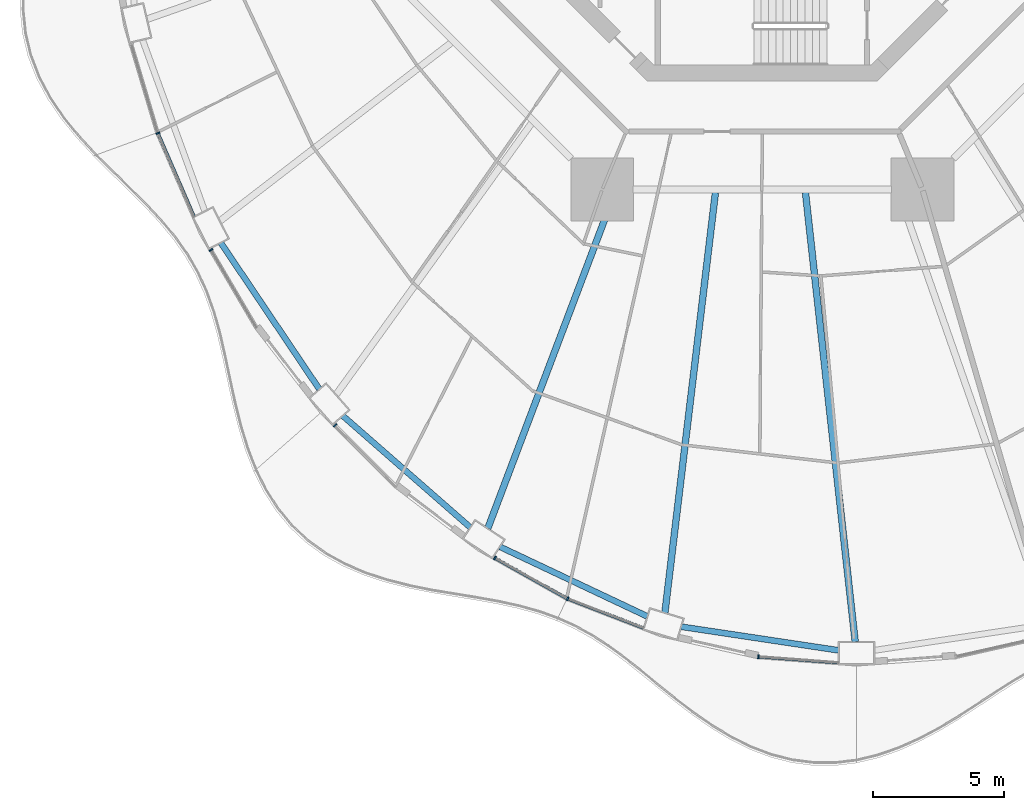
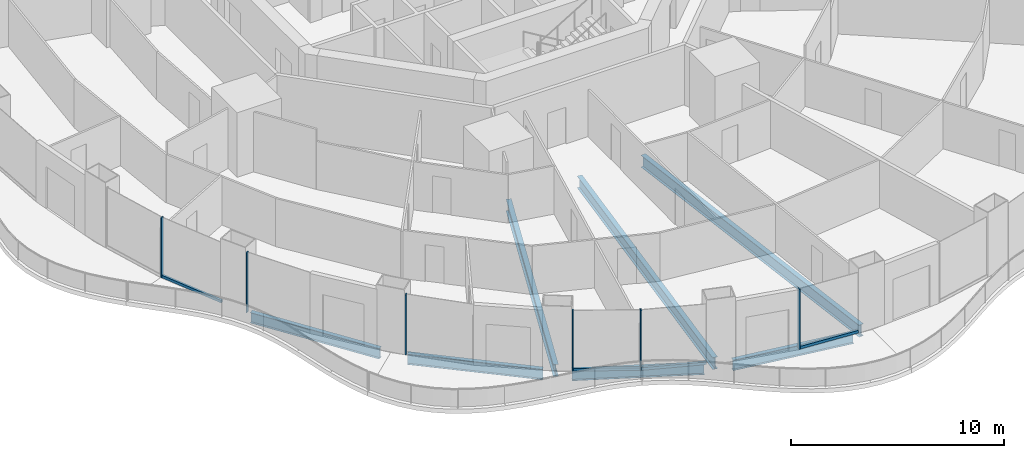
# One storey, part 2 of 22: 10 members, 7 beams, 6 elements without a shape of their own.
"""IFC4 building model written with IfcOpenShell, lengths in metres."""

from ifc_helpers import new_model, si_unit, direction, frame, origin, origin_2d, place, context, subcontext, project, spatial, rectangle, i_section, extrude, material, layer, layer_set, material_profile, profile_set, type_object, element, aggregate, save


model = new_model("IFC4")

# Units and contexts
model_context = context("Model", 3, precision=1e-05, world=origin(), true_north=direction((0.0, 1.0)))
body_context = subcontext(model_context, "Body", "Model", "MODEL_VIEW")
ifc_project = project(units=[si_unit("LENGTHUNIT", "METRE"), si_unit("AREAUNIT", "SQUARE_METRE"), si_unit("VOLUMEUNIT", "CUBIC_METRE"), si_unit("PLANEANGLEUNIT", "RADIAN"), si_unit("MASSUNIT", "GRAM", prefix="KILO")], contexts=[model_context])

# Site, building, storey
site_placement = place(None, origin())
site = spatial("IfcSite", under=ifc_project, at=site_placement, CompositionType="ELEMENT")
building_placement = place(site_placement, origin())
building = spatial("IfcBuilding", under=site, at=building_placement, Name="Nagisa Residences", CompositionType="ELEMENT")
storey_placement = place(building_placement, frame((0.0, 0.0, 45.5)))
storey = spatial("IfcBuildingStorey", under=building, at=storey_placement, Name="L10", CompositionType="ELEMENT", Elevation=45.5)

# Curtain wall, member
ifc_material_1 = material(Name="Concrete-coloured aluminium curtain wall system", Category="concrete")
ifc_layer = layer(ifc_material_1, 0.159912109375)
ifc_layer_set = layer_set([ifc_layer], Name="CW1 CURTAIN WALL")
curtain_wall_type = type_object("IfcCurtainWallType", Name="CW1 CURTAIN WALL", PredefinedType="NOTDEFINED", material=ifc_layer_set)
curtain_wall_1_placement = place(storey_placement, origin())
curtain_wall_1 = element("IfcCurtainWall", 1, at=curtain_wall_1_placement, inside=storey, type_object=curtain_wall_type, Name="cw:CW1:L10:27", PredefinedType="NOTDEFINED")
ifc_material_2 = material(Name="Concrete-coloured aluminium", Category="concrete")
ifc_material_profile_1 = material_profile(ifc_material_2, rectangle(XDim=0.159912109375, YDim=0.06005859375, at=origin_2d()), Name="CW1 MULLION 160x60")
ifc_profile_set_1 = profile_set([ifc_material_profile_1], Name="Concrete-coloured aluminium")
member_type_1 = type_object("IfcMemberType", Name="CW1 MULLION 160x60", PredefinedType="MULLION", material=ifc_profile_set_1)
member_1_placement = place(storey_placement, frame((-23.107177734375, -12.624267578125, 0.0), z_axis=(0.0, 0.0, 1.0), x_axis=(0.917543276295, 0.397635934147, 0.0)))
member_1 = element("IfcMember", 2, at=member_1_placement, type_object=member_type_1, Name="CW1 mullion", PredefinedType="MULLION", context=body_context, shape_type="SweptSolid", body=[
    extrude(rectangle(XDim=0.159912109375, YDim=0.06005859375, at=origin_2d()), origin(), (0.0, 0.0, 1.0), 3.43994140625),
])

curtain_wall_2_placement = place(storey_placement, origin())
curtain_wall_2 = element("IfcCurtainWall", 3, at=curtain_wall_2_placement, inside=storey, type_object=curtain_wall_type, Name="cw:CW1:L10:28", PredefinedType="NOTDEFINED")
member_2_placement = place(storey_placement, frame((-21.076171875, -17.089111328125, 0.0), z_axis=(0.0, 0.0, 1.0), x_axis=(0.862328898214, 0.506348567002, 0.0)))
member_2 = element("IfcMember", 4, at=member_2_placement, type_object=member_type_1, Name="CW1 mullion", PredefinedType="MULLION", context=body_context, shape_type="SweptSolid", body=[
    extrude(rectangle(XDim=0.159912109375, YDim=0.06005859375, at=origin_2d()), origin(), (0.0, 0.0, 1.0), 3.43994140625),
])
aggregate(curtain_wall_2, [member_2])

curtain_wall_3_placement = place(storey_placement, origin())
curtain_wall_3 = element("IfcCurtainWall", 5, at=curtain_wall_3_placement, inside=storey, type_object=curtain_wall_type, Name="cw:CW1:L10:30", PredefinedType="NOTDEFINED")
member_3_placement = place(storey_placement, frame((-16.332763671875, -23.79345703125, 0.0), z_axis=(0.0, 0.0, 1.0), x_axis=(0.706376885714, 0.707835924016, 0.0)))
member_3 = element("IfcMember", 6, at=member_3_placement, type_object=member_type_1, Name="CW1 mullion", PredefinedType="MULLION", context=body_context, shape_type="SweptSolid", body=[
    extrude(rectangle(XDim=0.159912109375, YDim=0.06005859375, at=origin_2d()), origin(), (0.0, 0.0, 1.0), 3.43994140625),
])
aggregate(curtain_wall_3, [member_3])

curtain_wall_4_placement = place(storey_placement, origin())
curtain_wall_4 = element("IfcCurtainWall", 7, at=curtain_wall_4_placement, inside=storey, type_object=curtain_wall_type, Name="cw:CW1:L10:32", PredefinedType="NOTDEFINED")
member_4_placement = place(storey_placement, frame((-10.22412109375, -28.8662109375, 0.0), z_axis=(0.0, 0.0, 1.0), x_axis=(0.489376918501, 0.872072377523, 0.0)))
member_4 = element("IfcMember", 8, at=member_4_placement, type_object=member_type_1, Name="CW1 mullion", PredefinedType="MULLION", context=body_context, shape_type="SweptSolid", body=[
    extrude(rectangle(XDim=0.159912109375, YDim=0.06005859375, at=origin_2d()), origin(), (0.0, 0.0, 1.0), 3.43994140625),
])

curtain_wall_5_placement = place(storey_placement, origin())
curtain_wall_5 = element("IfcCurtainWall", 9, at=curtain_wall_5_placement, inside=storey, type_object=curtain_wall_type, Name="cw:CW1:L10:33", PredefinedType="NOTDEFINED")
member_5_placement = place(storey_placement, frame((-7.44091796875, -30.42431640625, 0.0), z_axis=(0.0, 0.0, 1.0), x_axis=(0.360327770268, 0.932825759707, 0.0)))
member_5 = element("IfcMember", 10, at=member_5_placement, type_object=member_type_1, Name="CW1 mullion", PredefinedType="MULLION", context=body_context, shape_type="SweptSolid", body=[
    extrude(rectangle(XDim=0.159912109375, YDim=0.06005859375, at=origin_2d()), origin(), (0.0, 0.0, 1.0), 3.43994140625),
])

curtain_wall_6_placement = place(storey_placement, origin())
curtain_wall_6 = element("IfcCurtainWall", 11, at=curtain_wall_6_placement, inside=storey, type_object=curtain_wall_type, Name="cw:CW1:L10:35", PredefinedType="NOTDEFINED")
member_6_placement = place(storey_placement, frame((-0.1494140625, -32.64013671875, 0.0), z_axis=(0.0, 0.0, 1.0), x_axis=(0.074377355493, 0.997230168512, 0.0)))
member_6 = element("IfcMember", 12, at=member_6_placement, type_object=member_type_1, Name="CW1 mullion", PredefinedType="MULLION", context=body_context, shape_type="SweptSolid", body=[
    extrude(rectangle(XDim=0.159912109375, YDim=0.06005859375, at=origin_2d()), origin(), (0.0, 0.0, 1.0), 3.43994140625),
])

# Member
ifc_material_3 = material(Name="Concrete-coloured aluminium", Category="concrete")
ifc_material_profile_2 = material_profile(ifc_material_3, rectangle(XDim=0.1201171875, YDim=0.14990234375, at=origin_2d()), Name="CW1 TRANSOM 120x150")
ifc_profile_set_2 = profile_set([ifc_material_profile_2], Name="Concrete-coloured aluminium")
member_type_2 = type_object("IfcMemberType", Name="CW1 TRANSOM 120x150", PredefinedType="USERDEFINED", material=ifc_profile_set_2)
member_7_placement = place(storey_placement, frame((-23.119140625, -12.5966796875, 0.074951171875), z_axis=(0.397624958345, -0.917548032803, 0.0), x_axis=(0.917548032803, 0.397624958345, 0.0)))
member_7 = element("IfcMember", 13, at=member_7_placement, type_object=member_type_2, Name="CW1 transom", ObjectType="TRANSOM", PredefinedType="USERDEFINED", context=body_context, shape_type="SweptSolid", body=[
    extrude(rectangle(XDim=0.1201171875, YDim=0.14990234375, at=origin_2d()), origin(), (0.0, 0.0, 1.0), 3.51953125),
])

aggregate(curtain_wall_1, [member_1, member_7])

member_8_placement = place(storey_placement, frame((-10.25048828125, -28.8515625, 0.074951171875), z_axis=(0.872070011948, -0.489381133946, 0.0), x_axis=(0.489381133946, 0.872070011948, 0.0)))
member_8 = element("IfcMember", 14, at=member_8_placement, type_object=member_type_2, Name="CW1 transom", ObjectType="TRANSOM", PredefinedType="USERDEFINED", context=body_context, shape_type="SweptSolid", body=[
    extrude(rectangle(XDim=0.1201171875, YDim=0.14990234375, at=origin_2d()), origin(), (0.0, 0.0, 1.0), 3.201171875),
])

aggregate(curtain_wall_4, [member_4, member_8])

member_9_placement = place(storey_placement, frame((-7.468994140625, -30.413330078125, 0.074951171875), z_axis=(0.932835426425, -0.360302743822, 0.0), x_axis=(0.360302743822, 0.932835426425, 0.0)))
member_9 = element("IfcMember", 15, at=member_9_placement, type_object=member_type_2, Name="CW1 transom", ObjectType="TRANSOM", PredefinedType="USERDEFINED", context=body_context, shape_type="SweptSolid", body=[
    extrude(rectangle(XDim=0.1201171875, YDim=0.14990234375, at=origin_2d()), origin(), (0.0, 0.0, 1.0), 3.15087890625),
])

aggregate(curtain_wall_5, [member_5, member_9])

member_10_placement = place(storey_placement, frame((-0.17919921875, -32.637939453125, 0.074951171875), z_axis=(0.997230834878, -0.074368420505, 0.0), x_axis=(0.074368420505, 0.997230834878, 0.0)))
member_10 = element("IfcMember", 16, at=member_10_placement, type_object=member_type_2, Name="CW1 transom", ObjectType="TRANSOM", PredefinedType="USERDEFINED", context=body_context, shape_type="SweptSolid", body=[
    extrude(rectangle(XDim=0.1201171875, YDim=0.14990234375, at=origin_2d()), origin(), (0.0, 0.0, 1.0), 3.095703125),
])

aggregate(curtain_wall_6, [member_6, member_10])

# Beams
ifc_material_4 = material(Name="Steel ASTM A572 Gr 50", Category="steel")
ifc_material_profile_3 = material_profile(ifc_material_4, i_section(OverallWidth=0.22802734375, OverallDepth=0.60302734375, WebThickness=0.010498046875, FlangeThickness=0.014892578125, at=origin_2d()), Name="W610x101")
ifc_profile_set_3 = profile_set([ifc_material_profile_3], Name="Steel ASTM A572 Gr 50")
beam_type_1 = type_object("IfcBeamType", Name="Perimeter ring beam W610x101", PredefinedType="BEAM", material=ifc_profile_set_3)
beam_1_placement = place(storey_placement, frame((-20.69921875, -16.818603515625, -0.5615234375), z_axis=(0.558296806041, -0.829641293792, 0.0), x_axis=(0.829641293792, 0.558296806041, 0.0)))
element("IfcBeam", 17, at=beam_1_placement, inside=storey, type_object=beam_type_1, Name="beam:L10:pb15", PredefinedType="BEAM", context=body_context, shape_type="SweptSolid", body=[
    extrude(i_section(OverallWidth=0.22802734375, OverallDepth=0.60302734375, WebThickness=0.010498046875, FlangeThickness=0.014892578125, at=origin_2d()), origin(), (0.0, 0.0, 1.0), 6.74169921875),
])
beam_2_placement = place(storey_placement, frame((-16.0361328125, -23.432861328125, -0.5615234375), z_axis=(0.752574357292, -0.658507279191, 0.0), x_axis=(0.658507279191, 0.752574357292, 0.0)))
element("IfcBeam", 18, at=beam_2_placement, inside=storey, type_object=beam_type_1, Name="beam:L10:pb16", PredefinedType="BEAM", context=body_context, shape_type="SweptSolid", body=[
    extrude(i_section(OverallWidth=0.22802734375, OverallDepth=0.60302734375, WebThickness=0.010498046875, FlangeThickness=0.014892578125, at=origin_2d()), origin(), (0.0, 0.0, 1.0), 6.47021484375),
])
beam_3_placement = place(storey_placement, frame((-10.02880859375, -28.439208984375, -0.5615234375), z_axis=(0.904208275867, -0.427091786216, 0.0), x_axis=(0.427091786216, 0.904208275867, 0.0)))
element("IfcBeam", 19, at=beam_3_placement, inside=storey, type_object=beam_type_1, Name="beam:L10:pb17", PredefinedType="BEAM", context=body_context, shape_type="SweptSolid", body=[
    extrude(i_section(OverallWidth=0.22802734375, OverallDepth=0.60302734375, WebThickness=0.010498046875, FlangeThickness=0.014892578125, at=origin_2d()), origin(), (0.0, 0.0, 1.0), 6.227294921875),
])
beam_4_placement = place(storey_placement, frame((-3.096435546875, -31.49462890625, -0.5615234375), z_axis=(0.988914559467, -0.14848566959, 0.0), x_axis=(0.14848566959, 0.988914559467, 0.0)))
element("IfcBeam", 20, at=beam_4_placement, inside=storey, type_object=beam_type_1, Name="beam:L10:pb18", PredefinedType="BEAM", context=body_context, shape_type="SweptSolid", body=[
    extrude(i_section(OverallWidth=0.22802734375, OverallDepth=0.60302734375, WebThickness=0.010498046875, FlangeThickness=0.014892578125, at=origin_2d()), origin(), (0.0, 0.0, 1.0), 6.08349609375),
])
ifc_material_5 = material(Name="Steel ASTM A572 Gr 50", Category="steel")
ifc_material_profile_4 = material_profile(ifc_material_5, i_section(OverallWidth=0.25390625, OverallDepth=0.68408203125, WebThickness=0.012451171875, FlangeThickness=0.018798828125, at=origin_2d()), Name="W690x140")
ifc_profile_set_4 = profile_set([ifc_material_profile_4], Name="Steel ASTM A572 Gr 50")
beam_type_2 = type_object("IfcBeamType", Name="Radial beam W690x140", PredefinedType="BEAM", material=ifc_profile_set_4)
beam_5_placement = place(storey_placement, frame((-10.493896484375, -27.7333984375, -0.60205078125), z_axis=(0.353887892206, 0.935287848606, 0.0), x_axis=(-0.935287848606, 0.353887892206, 0.0)))
element("IfcBeam", 21, at=beam_5_placement, inside=storey, type_object=beam_type_2, Name="beam:L10:rb17", PredefinedType="BEAM", context=body_context, shape_type="SweptSolid", body=[
    extrude(i_section(OverallWidth=0.25390625, OverallDepth=0.68408203125, WebThickness=0.012451171875, FlangeThickness=0.018798828125, at=origin_2d()), origin(), (0.0, 0.0, 1.0), 13.725830078125),
])
beam_6_placement = place(storey_placement, frame((-3.72412109375, -30.958740234375, -0.60205078125), z_axis=(0.119431411612, 0.992842453726, 0.0), x_axis=(-0.992842453726, 0.119431411612, 0.0)))
element("IfcBeam", 22, at=beam_6_placement, inside=storey, type_object=beam_type_2, Name="beam:L10:rb18", PredefinedType="BEAM", context=body_context, shape_type="SweptSolid", body=[
    extrude(i_section(OverallWidth=0.25390625, OverallDepth=0.68408203125, WebThickness=0.012451171875, FlangeThickness=0.018798828125, at=origin_2d()), origin(), (0.0, 0.0, 1.0), 16.1796875),
])
beam_7_placement = place(storey_placement, frame((3.55224609375, -32.06982421875, -0.60205078125), z_axis=(-0.110088818647, 0.993921753464, 0.0), x_axis=(-0.993921753464, -0.110088818647, 0.0)))
element("IfcBeam", 23, at=beam_7_placement, inside=storey, type_object=beam_type_2, Name="beam:L10:rb19", PredefinedType="BEAM", context=body_context, shape_type="SweptSolid", body=[
    extrude(i_section(OverallWidth=0.25390625, OverallDepth=0.68408203125, WebThickness=0.012451171875, FlangeThickness=0.018798828125, at=origin_2d()), origin(), (0.0, 0.0, 1.0), 17.280029296875),
])

save(model, "model.ifc")
